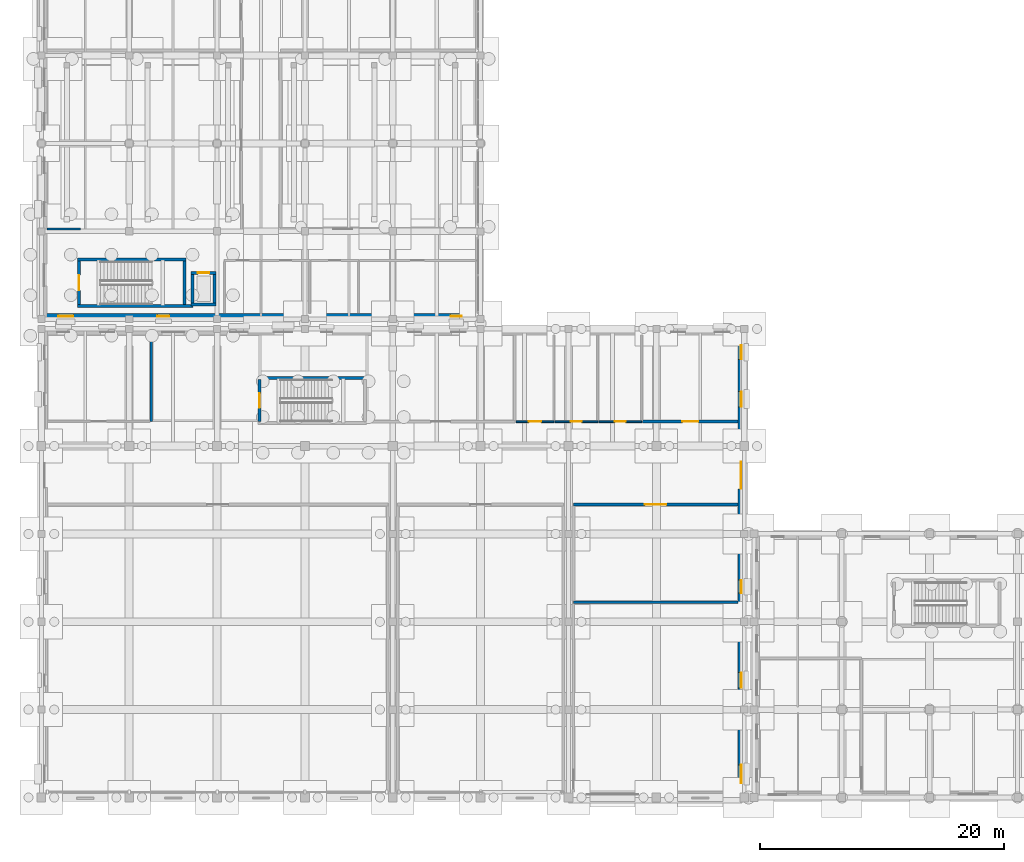
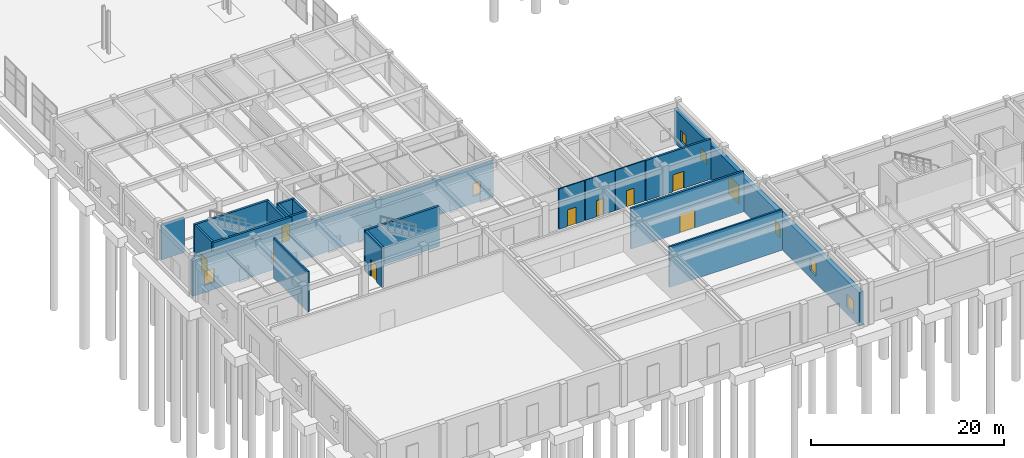
# One storey, part 66 of 91: 20 walls, 9 doors, 8 windows, 17 openings.
"""IFC4 building model written with IfcOpenShell, lengths in metres."""

import ifcopenshell
import ifcopenshell.guid

model = None  # the IFC model being written
_history = None  # IfcOwnerHistory: only IFC2X3 demands one
_inside = {}  # id of a spatial element -> (the spatial element, [elements in it])
_under = {}  # id of a project, library or spatial element -> (it, [spatial elements below it])
_declared = {}  # id of a project -> (the project, [libraries it declares])
_typed = {}  # id of a type object -> (the type object, [elements of that type])
_made_of = {}  # id of a material, layer set ... -> (it, [elements and type objects made of it])


def new_model(schema):
    """Start an empty IFC model of exactly this schema.

    Asked for "IFC4X3", IfcOpenShell would pick the latest addendum, in which some entities
    have other attributes; the version numbers below select the first issue.
    IFC2X3 requires an IfcOwnerHistory on every rooted entity: one is made here for all.
    """
    global model, _history
    if schema == "IFC4X3":
        model = ifcopenshell.file(schema_version=(4, 3, 0, 0))
    else:
        model = ifcopenshell.file(schema=schema)
    _inside.clear()
    _under.clear()
    _declared.clear()
    _typed.clear()
    _made_of.clear()
    _history = None
    if model.schema == "IFC2X3":
        org = make("IfcOrganization", Name="unknown")
        user = make(
            "IfcPersonAndOrganization",
            ThePerson=make("IfcPerson", FamilyName="unknown"),
            TheOrganization=org,
        )
        app = make(
            "IfcApplication",
            ApplicationDeveloper=org,
            Version="unknown",
            ApplicationFullName="unknown",
            ApplicationIdentifier="unknown",
        )
        _history = make(
            "IfcOwnerHistory",
            OwningUser=user,
            OwningApplication=app,
            ChangeAction="ADDED",
            CreationDate=0,
        )
    return model


def make(cls, **values):
    """One entity of the class cls with the attributes given. An attribute that is None is left unset."""
    return model.create_entity(
        cls, **{name: value for name, value in values.items() if value is not None}
    )


def rooted(cls, **values):
    """An entity with a GlobalId (a new one), such as an element, a storey or a relation."""
    return make(cls, GlobalId=ifcopenshell.guid.new(), OwnerHistory=_history, **values)


def si_unit(unit_type, name, prefix=None):
    """IfcSIUnit, for example si_unit("LENGTHUNIT", "METRE", prefix="MILLI")."""
    return make("IfcSIUnit", UnitType=unit_type, Prefix=prefix, Name=name)


def assignment(units):
    """IfcUnitAssignment: the units of a project."""
    return None if units is None else make("IfcUnitAssignment", Units=units)


def point(xyz):
    """IfcCartesianPoint."""
    return None if xyz is None else make("IfcCartesianPoint", Coordinates=xyz)


def direction(xyz):
    """IfcDirection."""
    return None if xyz is None else make("IfcDirection", DirectionRatios=xyz)


def frame(location, z_axis=None, x_axis=None):
    """IfcAxis2Placement3D, a coordinate frame: its origin and axes. An axis left out is left unset."""
    return make(
        "IfcAxis2Placement3D",
        Location=point(location),
        Axis=direction(z_axis),
        RefDirection=direction(x_axis),
    )


def frame_2d(location, x_axis=None):
    """IfcAxis2Placement2D, a coordinate frame in the plane: its origin and x axis."""
    return make(
        "IfcAxis2Placement2D", Location=point(location), RefDirection=direction(x_axis)
    )


def origin():
    """The frame at (0, 0, 0) with its axes left unset."""
    return frame((0.0, 0.0, 0.0))


def place(relative_to, where):
    """IfcLocalPlacement: puts the frame where relative to a parent placement (None: the world)."""
    return make(
        "IfcLocalPlacement", PlacementRelTo=relative_to, RelativePlacement=where
    )


def context(
    kind, dimensions, precision=None, world=None, true_north=None, identifier=None
):
    """IfcGeometricRepresentationContext, for example the 3D "Model" context."""
    return make(
        "IfcGeometricRepresentationContext",
        ContextIdentifier=identifier,
        ContextType=kind,
        CoordinateSpaceDimension=dimensions,
        Precision=precision,
        WorldCoordinateSystem=world,
        TrueNorth=true_north,
    )


def subcontext(parent, identifier, kind, view, scale=None):
    """IfcGeometricRepresentationSubContext, for example "Body" below "Model"."""
    return make(
        "IfcGeometricRepresentationSubContext",
        ContextIdentifier=identifier,
        ContextType=kind,
        ParentContext=parent,
        TargetScale=scale,
        TargetView=view,
    )


def project(units=None, contexts=None):
    """IfcProject with its units and contexts."""
    return rooted(
        "IfcProject",
        Name="project",
        RepresentationContexts=contexts,
        UnitsInContext=assignment(units),
    )


def spatial(cls, under=None, at=None, **own):
    """A site, building, storey or space (cls), placed at a placement, below another one or the project."""
    s = rooted(cls, ObjectPlacement=at, **own)
    if under is not None:
        _under.setdefault(under.id(), (under, []))[1].append(s)
    return s


def profile(cls, at=None, kind="AREA", **sizes):
    """A parametric profile (cls). Its sizes go by their IFC names, for example OverallWidth=200.0."""
    return make(cls, ProfileType=kind, Position=at, **sizes)


def rectangle(**sizes):
    """IfcRectangleProfileDef."""
    return profile("IfcRectangleProfileDef", **sizes)


def extrude(swept, where, along, depth):
    """IfcExtrudedAreaSolid: the profile swept, set in the frame where, extruded along a direction by depth."""
    return make(
        "IfcExtrudedAreaSolid",
        SweptArea=swept,
        Position=where,
        ExtrudedDirection=direction(along),
        Depth=depth,
    )


def shape(context_of_items, identifier, shape_type, items):
    """IfcShapeRepresentation: the items that make up one representation, for example the "Body"."""
    return make(
        "IfcShapeRepresentation",
        ContextOfItems=context_of_items,
        RepresentationIdentifier=identifier,
        RepresentationType=shape_type,
        Items=items,
    )


def material(Name=None, Category=None):
    """IfcMaterial."""
    return make("IfcMaterial", Name=Name, Category=Category)


def layer(
    of_material, thickness, ventilated=None, Name=None, Category=None, Priority=None
):
    """IfcMaterialLayer: one layer of a wall or slab, of a material (None: an air gap)."""
    return make(
        "IfcMaterialLayer",
        Material=of_material,
        LayerThickness=thickness,
        IsVentilated=ventilated,
        Name=Name,
        Category=Category,
        Priority=Priority,
    )


def layer_set(layers, Name=None):
    """IfcMaterialLayerSet."""
    return make("IfcMaterialLayerSet", MaterialLayers=layers, LayerSetName=Name)


def made_of(thing, what):
    """Note that an element or type object is made of a material, layer set ...; save() writes the relation."""
    if what is not None:
        _made_of.setdefault(what.id(), (what, []))[1].append(thing)
    return thing


def type_object(cls, material=None, **own):
    """A type object (cls), such as IfcWallType, which elements share."""
    return made_of(rooted(cls, **own), material)


def element(
    cls,
    number,
    at=None,
    inside=None,
    cuts=None,
    type_object=None,
    material=None,
    context=None,
    identifier="Body",
    shape_type=None,
    held_by="IfcProductDefinitionShape",
    body=None,
    shapes=None,
    **own,
):
    """One element of the class cls, such as IfcWall. Its Tag is "e" and its number.

    at: its placement. inside: the storey or other place that contains it. cuts: it is an
    opening in that element (IfcRelVoidsElement). A single representation is given by context,
    identifier, shape_type and body (its items); several are given by shapes. held_by: the class
    of the entity that holds the representations. save() writes the other relations.
    """
    e = rooted(cls, Tag="e%d" % number, ObjectPlacement=at, **own)
    if body is not None:
        shapes = [shape(context, identifier, shape_type, body)]
    if shapes is not None:
        e.Representation = make(held_by, Representations=shapes)
    if inside is not None:
        _inside.setdefault(inside.id(), (inside, []))[1].append(e)
    if cuts is not None:
        rooted(
            "IfcRelVoidsElement", RelatingBuildingElement=cuts, RelatedOpeningElement=e
        )
    if type_object is not None:
        _typed.setdefault(type_object.id(), (type_object, []))[1].append(e)
    return made_of(e, material)


def fill(opening, filler):
    """IfcRelFillsElement: the door or window that sits in an opening."""
    return rooted(
        "IfcRelFillsElement",
        RelatingOpeningElement=opening,
        RelatedBuildingElement=filler,
    )


def aggregate(whole, parts):
    """IfcRelAggregates: a whole, such as a stair, and the parts it consists of."""
    return rooted("IfcRelAggregates", RelatingObject=whole, RelatedObjects=parts)


def save(model, path):
    """Write the relations noted so far, then the file.

    IfcRelAggregates (storeys below a building ...), IfcRelContainedInSpatialStructure (elements
    in a storey), IfcRelDefinesByType, IfcRelAssociatesMaterial and IfcRelDeclares: one each for
    every whole, place, type object, material and project.
    """
    for whole, parts in _under.values():
        aggregate(whole, parts)
    for where, things in _inside.values():
        rooted(
            "IfcRelContainedInSpatialStructure",
            RelatedElements=things,
            RelatingStructure=where,
        )
    for kind, things in _typed.values():
        rooted("IfcRelDefinesByType", RelatedObjects=things, RelatingType=kind)
    for what, things in _made_of.values():
        rooted("IfcRelAssociatesMaterial", RelatedObjects=things, RelatingMaterial=what)
    for by, libraries in _declared.values():
        rooted("IfcRelDeclares", RelatingContext=by, RelatedDefinitions=libraries)
    model.write(path)


model = new_model("IFC4")

# Units and contexts
model_context = context("Model", 3, precision=1e-05, world=origin(), true_north=direction((0.0, 1.0)))
body_context = subcontext(model_context, "Body", "Model", "MODEL_VIEW")
ifc_project = project(units=[si_unit("LENGTHUNIT", "METRE"), si_unit("AREAUNIT", "SQUARE_METRE"), si_unit("VOLUMEUNIT", "CUBIC_METRE"), si_unit("PLANEANGLEUNIT", "RADIAN"), si_unit("MASSUNIT", "GRAM", prefix="KILO")], contexts=[model_context])

# Site, building, storey
site_placement = place(None, origin())
site = spatial("IfcSite", under=ifc_project, at=site_placement, CompositionType="ELEMENT")
building_placement = place(site_placement, origin())
building = spatial("IfcBuilding", under=site, at=building_placement, Name="Bramveld Media Centre", CompositionType="ELEMENT")
storey_placement = place(building_placement, origin())
storey = spatial("IfcBuildingStorey", under=building, at=storey_placement, Name="L00", CompositionType="ELEMENT", Elevation=0.0)

# Walls
ifc_material_1 = material(Name="Concrete C40/50 stair & lift core wall", Category="concrete")
ifc_layer_1 = layer(ifc_material_1, 0.25)
ifc_layer_set_1 = layer_set([ifc_layer_1], Name="Concrete C40/50 stair & lift core wall")
wall_type_1 = type_object("IfcWallType", Name="CWALL-SHEAR-250", PredefinedType="SHEAR", material=ifc_layer_set_1)
wall_1_placement = place(storey_placement, frame((2.949951171875, 40.27490234375, 0.0), z_axis=(0.0, 0.0, 1.0), x_axis=(1.0, 0.0, 0.0)))
element("IfcWall", 1, at=wall_1_placement, inside=storey, type_object=wall_type_1, Name="ST-04 L00 stair core shear wall S", PredefinedType="SHEAR", context=body_context, shape_type="SweptSolid", body=[
    extrude(rectangle(XDim=9.469970703125, YDim=0.25, at=frame_2d((4.73486328125, 0.0))), origin(), (0.0, 0.0, 1.0), 5.139892578125),
])
wall_2_placement = place(storey_placement, frame((11.85009765625, 44.074951171875, 0.0), z_axis=(0.0, 0.0, 1.0), x_axis=(-1.0, 0.0, 0.0)))
element("IfcWall", 2, at=wall_2_placement, inside=storey, type_object=wall_type_1, Name="ST-04 L00 stair core shear wall N", PredefinedType="SHEAR", context=body_context, shape_type="SweptSolid", body=[
    extrude(rectangle(XDim=8.900146484375, YDim=0.25, at=frame_2d((4.4501953125, 0.0))), origin(), (0.0, 0.0, 1.0), 5.139892578125),
])

# Wall, opening, door
wall_3_placement = place(storey_placement, frame((3.074951171875, 43.949951171875, 0.0), z_axis=(0.0, 0.0, 1.0), x_axis=(0.0, -1.0, 0.0)))
wall_3 = element("IfcWall", 3, at=wall_3_placement, inside=storey, type_object=wall_type_1, Name="ST-04 L00 stair core shear wall W", PredefinedType="SHEAR", context=body_context, shape_type="SweptSolid", body=[
    extrude(rectangle(XDim=3.550048828125, YDim=0.25, at=frame_2d((1.77490234375, 0.0))), origin(), (0.0, 0.0, 1.0), 5.139892578125),
])
opening_1_placement = place(wall_3_placement, frame((1.14990234375, 0.0, 0.0)))
opening_1 = element("IfcOpeningElement", 4, at=opening_1_placement, cuts=wall_3, Name="Opening SD-04-L00", PredefinedType="OPENING", context=body_context, shape_type="SweptSolid", body=[
    extrude(rectangle(XDim=1.25, YDim=2.14990234375, at=frame_2d((0.625, 1.074951171875))), frame((0.0, 0.136962890625, 0.0), z_axis=(0.0, -1.0, 0.0), x_axis=(1.0, 0.0, 0.0)), (0.0, 0.0, 1.0), 0.27392578125),
])
ifc_material_2 = material(Name="Painted galvanized steel acoustic fire door with intumescent smoke seals", Category="steel")
door_type_1 = type_object("IfcDoorType", Name="DR-ST-1250", OperationType="NOTDEFINED", PredefinedType="DOOR", material=ifc_material_2)
door_1_placement = place(opening_1_placement, origin())
door_1 = element("IfcDoor", 5, at=door_1_placement, inside=storey, type_object=door_type_1, Name="ST-04 L00 pressurized stair fire door", OperationType="SINGLE_SWING_RIGHT", OverallHeight=2.14990234375, OverallWidth=1.25, PredefinedType="DOOR", context=body_context, shape_type="SweptSolid", body=[
    extrude(rectangle(XDim=1.25, YDim=2.14990234375, at=frame_2d((0.625, 1.074951171875))), frame((0.0, 0.02490234375, 0.0), z_axis=(0.0, -1.0, 0.0), x_axis=(1.0, 0.0, 0.0)), (0.0, 0.0, 1.0), 0.050048828125),
])
fill(opening_1, door_1)

# Walls
wall_4_placement = place(storey_placement, frame((11.72509765625, 40.39990234375, 0.0), z_axis=(0.0, 0.0, 1.0), x_axis=(0.0, 1.0, 0.0)))
element("IfcWall", 6, at=wall_4_placement, inside=storey, type_object=wall_type_1, Name="ST-04 L00 stair core shear wall E", PredefinedType="SHEAR", context=body_context, shape_type="SweptSolid", body=[
    extrude(rectangle(XDim=3.550048828125, YDim=0.25, at=frame_2d((1.77490234375, 0.0))), origin(), (0.0, 0.0, 1.0), 5.139892578125),
])
wall_5_placement = place(storey_placement, frame((26.64990234375, 34.375, 0.0), z_axis=(0.0, 0.0, 1.0), x_axis=(-1.0, 0.0, 0.0)))
element("IfcWall", 7, at=wall_5_placement, inside=storey, type_object=wall_type_1, Name="ST-05 L00 stair core shear wall N", PredefinedType="SHEAR", context=body_context, shape_type="SweptSolid", body=[
    extrude(rectangle(XDim=8.89990234375, YDim=0.25, at=frame_2d((4.449951171875, 0.0))), origin(), (0.0, 0.0, 1.0), 5.10009765625),
])

# Wall, opening, door
wall_6_placement = place(storey_placement, frame((17.875, 34.25, 0.0), z_axis=(0.0, 0.0, 1.0), x_axis=(0.0, -1.0, 0.0)))
wall_6 = element("IfcWall", 8, at=wall_6_placement, inside=storey, type_object=wall_type_1, Name="ST-05 L00 stair core shear wall W", PredefinedType="SHEAR", context=body_context, shape_type="SweptSolid", body=[
    extrude(rectangle(XDim=3.449951171875, YDim=0.25, at=frame_2d((1.72509765625, 0.0))), origin(), (0.0, 0.0, 1.0), 5.10009765625),
])
opening_2_placement = place(wall_6_placement, frame((1.125, 0.0, 0.0)))
opening_2 = element("IfcOpeningElement", 9, at=opening_2_placement, cuts=wall_6, Name="Opening SD-05-L00", PredefinedType="OPENING", context=body_context, shape_type="SweptSolid", body=[
    extrude(rectangle(XDim=1.199951171875, YDim=2.14990234375, at=frame_2d((0.60009765625, 1.074951171875))), frame((0.0, 0.136962890625, 0.0), z_axis=(0.0, -1.0, 0.0), x_axis=(1.0, 0.0, 0.0)), (0.0, 0.0, 1.0), 0.27392578125),
])
ifc_material_3 = material(Name="Painted galvanized steel acoustic fire door with intumescent smoke seals", Category="steel")
door_type_2 = type_object("IfcDoorType", Name="DR-ST-1200", OperationType="NOTDEFINED", PredefinedType="DOOR", material=ifc_material_3)
door_2_placement = place(opening_2_placement, origin())
door_2 = element("IfcDoor", 10, at=door_2_placement, inside=storey, type_object=door_type_2, Name="ST-05 L00 pressurized stair fire door", OperationType="SINGLE_SWING_LEFT", OverallHeight=2.14990234375, OverallWidth=1.199951171875, PredefinedType="DOOR", context=body_context, shape_type="SweptSolid", body=[
    extrude(rectangle(XDim=1.199951171875, YDim=2.14990234375, at=frame_2d((0.60009765625, 1.074951171875))), frame((0.0, 0.02490234375, 0.0), z_axis=(0.0, -1.0, 0.0), x_axis=(1.0, 0.0, 0.0)), (0.0, 0.0, 1.0), 0.050048828125),
])
fill(opening_2, door_2)

# Wall
wall_7_placement = place(storey_placement, frame((12.27490234375, 40.39990234375, 0.0), z_axis=(0.0, 0.0, 1.0), x_axis=(1.0, 0.0, 0.0)))
element("IfcWall", 11, at=wall_7_placement, inside=storey, type_object=wall_type_1, Name="PL-05 L00 lift shaft wall S", PredefinedType="SHEAR", context=body_context, shape_type="SweptSolid", body=[
    extrude(rectangle(XDim=2.050048828125, YDim=0.25, at=frame_2d((1.02490234375, 0.0))), origin(), (0.0, 0.0, 1.0), 5.139892578125),
])

# Wall, opening, door
wall_8_placement = place(storey_placement, frame((14.324951171875, 43.0, 0.0), z_axis=(0.0, 0.0, 1.0), x_axis=(-1.0, 0.0, 0.0)))
wall_8 = element("IfcWall", 12, at=wall_8_placement, inside=storey, type_object=wall_type_1, Name="PL-05 L00 lift shaft wall N", PredefinedType="SHEAR", context=body_context, shape_type="SweptSolid", body=[
    extrude(rectangle(XDim=2.050048828125, YDim=0.25, at=frame_2d((1.02490234375, 0.0))), origin(), (0.0, 0.0, 1.0), 5.139892578125),
])
opening_3_placement = place(wall_8_placement, frame((0.550048828125, 0.0, 0.0)))
opening_3 = element("IfcOpeningElement", 13, at=opening_3_placement, cuts=wall_8, Name="Opening LD-03-05-L00", PredefinedType="OPENING", context=body_context, shape_type="SweptSolid", body=[
    extrude(rectangle(XDim=0.949951171875, YDim=2.10009765625, at=frame_2d((0.47509765625, 1.050048828125))), frame((0.0, 0.136962890625, 0.0), z_axis=(0.0, -1.0, 0.0), x_axis=(1.0, 0.0, 0.0)), (0.0, 0.0, 1.0), 0.27392578125),
])
ifc_material_4 = material(Name="Brushed stainless steel automatic fire-rated sliding lift landing door", Category="steel")
door_type_3 = type_object("IfcDoorType", Name="LD-TYPE-03", OperationType="SLIDING_TO_LEFT", PredefinedType="DOOR", material=ifc_material_4)
door_3_placement = place(opening_3_placement, origin())
door_3 = element("IfcDoor", 14, at=door_3_placement, inside=storey, type_object=door_type_3, Name="PL-05 L00 sliding lift landing door", OperationType="SLIDING_TO_LEFT", OverallHeight=2.10009765625, OverallWidth=0.949951171875, PredefinedType="DOOR", context=body_context, shape_type="SweptSolid", body=[
    extrude(rectangle(XDim=0.949951171875, YDim=2.10009765625, at=frame_2d((0.47509765625, 1.050048828125))), frame((0.0, 0.02490234375, 0.0), z_axis=(0.0, -1.0, 0.0), x_axis=(1.0, 0.0, 0.0)), (0.0, 0.0, 1.0), 0.050048828125),
])
fill(opening_3, door_3)

# Walls
for number, where, z_axis, x_axis, name in (
    (15, (12.39990234375, 43.0, 0.0), (0.0, 0.0, 1.0), (0.0, -1.0, 0.0), "PL-05 L00 lift shaft wall W"),
    (16, (14.199951171875, 40.39990234375, 0.0), (0.0, 0.0, 1.0), (0.0, 1.0, 0.0), "PL-05 L00 lift shaft wall E"),
):
    element("IfcWall", number, at=place(storey_placement, frame(where, z_axis=z_axis, x_axis=x_axis)), inside=storey, type_object=wall_type_1, Name=name, PredefinedType="SHEAR", context=body_context, shape_type="SweptSolid", body=[
        extrude(rectangle(XDim=2.60009765625, YDim=0.25, at=frame_2d((1.300048828125, 0.0))), origin(), (0.0, 0.0, 1.0), 5.139892578125),
    ])

# Wall, openings, door, windows
ifc_material_5 = material(Name="Double-leaf Concrete C40/50 cinema acoustic shell wall with brick outer leaf", Category="masonry")
ifc_layer_2 = layer(ifc_material_5, 0.5)
ifc_layer_set_2 = layer_set([ifc_layer_2], Name="Double-leaf Concrete C40/50 cinema acoustic shell wall with brick outer leaf")
wall_type_2 = type_object("IfcWallType", Name="EW-ACOU-500", PredefinedType="SOLIDWALL", material=ifc_layer_set_2)
wall_9_placement = place(storey_placement, frame((57.35009765625, 38.39990234375, 0.0), z_axis=(0.0, 0.0, 1.0), x_axis=(0.0, -1.0, 0.0)))
wall_9 = element("IfcWall", 17, at=wall_9_placement, inside=storey, type_object=wall_type_2, Name="V2 L00 E facing brick exterior wall", PredefinedType="SOLIDWALL", context=body_context, shape_type="SweptSolid", body=[
    extrude(rectangle(XDim=38.39990234375, YDim=0.5, at=frame_2d((19.199951171875, 0.0))), origin(), (0.0, 0.0, 1.0), 4.2548828125),
])
opening_4_placement = place(wall_9_placement, frame((10.89990234375, 0.0, 0.0)))
opening_4 = element("IfcOpeningElement", 18, at=opening_4_placement, cuts=wall_9, Name="Opening ED-07", PredefinedType="OPENING", context=body_context, shape_type="SweptSolid", body=[
    extrude(rectangle(XDim=2.199951171875, YDim=2.39990234375, at=frame_2d((1.10009765625, 1.199951171875))), frame((0.0, 0.261962890625, 0.0), z_axis=(0.0, -1.0, 0.0), x_axis=(1.0, 0.0, 0.0)), (0.0, 0.0, 1.0), 0.52392578125),
])
opening_5_placement = place(wall_9_placement, frame((1.344970703125, 0.0, 0.89990234375)))
opening_5 = element("IfcOpeningElement", 19, at=opening_5_placement, cuts=wall_9, Name="Opening W-09", PredefinedType="OPENING", context=body_context, shape_type="SweptSolid", body=[
    extrude(rectangle(XDim=1.14990234375, YDim=1.449951171875, at=frame_2d((0.574951171875, 0.72509765625))), frame((0.0, 0.261962890625, 0.0), z_axis=(0.0, -1.0, 0.0), x_axis=(1.0, 0.0, 0.0)), (0.0, 0.0, 1.0), 0.52392578125),
])
opening_6_placement = place(wall_9_placement, frame((5.135009765625, 0.0, 0.89990234375)))
opening_6 = element("IfcOpeningElement", 20, at=opening_6_placement, cuts=wall_9, Name="Opening W-10", PredefinedType="OPENING", context=body_context, shape_type="SweptSolid", body=[
    extrude(rectangle(XDim=1.25, YDim=1.449951171875, at=frame_2d((0.625, 0.72509765625))), frame((0.0, 0.261962890625, 0.0), z_axis=(0.0, -1.0, 0.0), x_axis=(1.0, 0.0, 0.0)), (0.0, 0.0, 1.0), 0.52392578125),
])
opening_7_placement = place(wall_9_placement, frame((20.594970703125, 0.0, 0.89990234375)))
opening_7 = element("IfcOpeningElement", 21, at=opening_7_placement, cuts=wall_9, Name="Opening W-14", PredefinedType="OPENING", context=body_context, shape_type="SweptSolid", body=[
    extrude(rectangle(XDim=1.050048828125, YDim=1.60009765625, at=frame_2d((0.52490234375, 0.800048828125))), frame((0.0, 0.261962890625, 0.0), z_axis=(0.0, -1.0, 0.0), x_axis=(1.0, 0.0, 0.0)), (0.0, 0.0, 1.0), 0.52392578125),
])
opening_8_placement = place(wall_9_placement, frame((28.175048828125, 0.0, 0.89990234375)))
opening_8 = element("IfcOpeningElement", 22, at=opening_8_placement, cuts=wall_9, Name="Opening W-16", PredefinedType="OPENING", context=body_context, shape_type="SweptSolid", body=[
    extrude(rectangle(XDim=1.25, YDim=1.60009765625, at=frame_2d((0.625, 0.800048828125))), frame((0.0, 0.261962890625, 0.0), z_axis=(0.0, -1.0, 0.0), x_axis=(1.0, 0.0, 0.0)), (0.0, 0.0, 1.0), 0.52392578125),
])
opening_9_placement = place(wall_9_placement, frame((35.72998046875, 0.0, 0.89990234375)))
opening_9 = element("IfcOpeningElement", 23, at=opening_9_placement, cuts=wall_9, Name="Opening W-18", PredefinedType="OPENING", context=body_context, shape_type="SweptSolid", body=[
    extrude(rectangle(XDim=1.5, YDim=1.60009765625, at=frame_2d((0.75, 0.800048828125))), frame((0.0, 0.261962890625, 0.0), z_axis=(0.0, -1.0, 0.0), x_axis=(1.0, 0.0, 0.0)), (0.0, 0.0, 1.0), 0.52392578125),
])
ifc_material_6 = material(Name="Insulated powder-coated bronze aluminium & laminated safety glass door", Category="aluminium")
door_type_4 = type_object("IfcDoorType", Name="DR-EXT-2200", OperationType="NOTDEFINED", PredefinedType="DOOR", material=ifc_material_6)
door_4_placement = place(opening_4_placement, origin())
door_4 = element("IfcDoor", 24, at=door_4_placement, inside=storey, type_object=door_type_4, Name="Exterior door ED-07", OperationType="DOUBLE_DOOR_SINGLE_SWING", OverallHeight=2.39990234375, OverallWidth=2.199951171875, PredefinedType="DOOR", context=body_context, shape_type="SweptSolid", body=[
    extrude(rectangle(XDim=2.199951171875, YDim=2.39990234375, at=frame_2d((1.10009765625, 1.199951171875))), frame((0.0, 0.02490234375, 0.0), z_axis=(0.0, -1.0, 0.0), x_axis=(1.0, 0.0, 0.0)), (0.0, 0.0, 1.0), 0.050048828125),
])
fill(opening_4, door_4)
ifc_material_7 = material(Name="Thermally broken anodized bronze aluminium frame with triple acoustic glazing", Category="aluminium")
window_type_1 = type_object("IfcWindowType", Name="WIN-FAC-09", PartitioningType="SINGLE_PANEL", PredefinedType="WINDOW", material=ifc_material_7)
window_1_placement = place(opening_5_placement, origin())
window_1 = element("IfcWindow", 25, at=window_1_placement, inside=storey, type_object=window_type_1, Name="V2 L00 E acoustic facade window", OverallHeight=1.449951171875, OverallWidth=1.14990234375, PartitioningType="SINGLE_PANEL", PredefinedType="WINDOW", context=body_context, shape_type="SweptSolid", body=[
    extrude(rectangle(XDim=1.14990234375, YDim=1.449951171875, at=frame_2d((0.574951171875, 0.72509765625))), frame((0.0, 0.030029296875, 0.0), z_axis=(0.0, -1.0, 0.0), x_axis=(1.0, 0.0, 0.0)), (0.0, 0.0, 1.0), 0.06005859375),
])
fill(opening_5, window_1)
ifc_material_8 = material(Name="Thermally broken anodized bronze aluminium frame with triple acoustic glazing", Category="aluminium")
window_type_2 = type_object("IfcWindowType", Name="WIN-FAC-10", PartitioningType="SINGLE_PANEL", PredefinedType="WINDOW", material=ifc_material_8)
window_2_placement = place(opening_6_placement, origin())
window_2 = element("IfcWindow", 26, at=window_2_placement, inside=storey, type_object=window_type_2, Name="V2 L00 E acoustic facade window", OverallHeight=1.449951171875, OverallWidth=1.25, PartitioningType="SINGLE_PANEL", PredefinedType="WINDOW", context=body_context, shape_type="SweptSolid", body=[
    extrude(rectangle(XDim=1.25, YDim=1.449951171875, at=frame_2d((0.625, 0.72509765625))), frame((0.0, 0.030029296875, 0.0), z_axis=(0.0, -1.0, 0.0), x_axis=(1.0, 0.0, 0.0)), (0.0, 0.0, 1.0), 0.06005859375),
])
fill(opening_6, window_2)
ifc_material_9 = material(Name="Thermally broken anodized bronze aluminium frame with triple acoustic glazing", Category="aluminium")
window_type_3 = type_object("IfcWindowType", Name="WIN-FAC-14", PartitioningType="SINGLE_PANEL", PredefinedType="WINDOW", material=ifc_material_9)
window_3_placement = place(opening_7_placement, origin())
window_3 = element("IfcWindow", 27, at=window_3_placement, inside=storey, type_object=window_type_3, Name="V2 L00 E acoustic facade window", OverallHeight=1.60009765625, OverallWidth=1.050048828125, PartitioningType="SINGLE_PANEL", PredefinedType="WINDOW", context=body_context, shape_type="SweptSolid", body=[
    extrude(rectangle(XDim=1.050048828125, YDim=1.60009765625, at=frame_2d((0.52490234375, 0.800048828125))), frame((0.0, 0.030029296875, 0.0), z_axis=(0.0, -1.0, 0.0), x_axis=(1.0, 0.0, 0.0)), (0.0, 0.0, 1.0), 0.06005859375),
])
fill(opening_7, window_3)
ifc_material_10 = material(Name="Thermally broken anodized bronze aluminium frame with triple acoustic glazing", Category="aluminium")
window_type_4 = type_object("IfcWindowType", Name="WIN-FAC-16", PartitioningType="SINGLE_PANEL", PredefinedType="WINDOW", material=ifc_material_10)
window_4_placement = place(opening_8_placement, origin())
window_4 = element("IfcWindow", 28, at=window_4_placement, inside=storey, type_object=window_type_4, Name="V2 L00 E acoustic facade window", OverallHeight=1.60009765625, OverallWidth=1.25, PartitioningType="SINGLE_PANEL", PredefinedType="WINDOW", context=body_context, shape_type="SweptSolid", body=[
    extrude(rectangle(XDim=1.25, YDim=1.60009765625, at=frame_2d((0.625, 0.800048828125))), frame((0.0, 0.030029296875, 0.0), z_axis=(0.0, -1.0, 0.0), x_axis=(1.0, 0.0, 0.0)), (0.0, 0.0, 1.0), 0.06005859375),
])
fill(opening_8, window_4)
ifc_material_11 = material(Name="Thermally broken anodized bronze aluminium frame with triple acoustic glazing", Category="aluminium")
window_type_5 = type_object("IfcWindowType", Name="WIN-FAC-18", PartitioningType="SINGLE_PANEL", PredefinedType="WINDOW", material=ifc_material_11)
window_5_placement = place(opening_9_placement, origin())
window_5 = element("IfcWindow", 29, at=window_5_placement, inside=storey, type_object=window_type_5, Name="V2 L00 E acoustic facade window", OverallHeight=1.60009765625, OverallWidth=1.5, PartitioningType="SINGLE_PANEL", PredefinedType="WINDOW", context=body_context, shape_type="SweptSolid", body=[
    extrude(rectangle(XDim=1.5, YDim=1.60009765625, at=frame_2d((0.75, 0.800048828125))), frame((0.0, 0.030029296875, 0.0), z_axis=(0.0, -1.0, 0.0), x_axis=(1.0, 0.0, 0.0)), (0.0, 0.0, 1.0), 0.06005859375),
])
fill(opening_9, window_5)

# Wall, openings, windows
ifc_material_12 = material(Name="Flemish red-brown clay facing brick cavity wall with concrete C35/45 inner leaf", Category="masonry")
ifc_layer_3 = layer(ifc_material_12, 0.4599609375)
ifc_layer_set_3 = layer_set([ifc_layer_3], Name="Flemish red-brown clay facing brick cavity wall with concrete C35/45 inner leaf")
wall_type_3 = type_object("IfcWallType", Name="EW-BRK-460", PredefinedType="SOLIDWALL", material=ifc_layer_set_3)
wall_10_placement = place(storey_placement, frame((36.0, 39.429931640625, 0.0), z_axis=(0.0, 0.0, 1.0), x_axis=(-1.0, 0.0, 0.0)))
wall_10 = element("IfcWall", 30, at=wall_10_placement, inside=storey, type_object=wall_type_3, Name="V3 L00 S facing brick exterior wall", PredefinedType="SOLIDWALL", context=body_context, shape_type="SweptSolid", body=[
    extrude(rectangle(XDim=36.0, YDim=0.4599609375, at=frame_2d((18.0, 0.0))), origin(), (0.0, 0.0, 1.0), 4.43505859375),
])
opening_10_placement = place(wall_10_placement, frame((1.550048828125, 0.0, 0.89990234375)))
opening_10 = element("IfcOpeningElement", 31, at=opening_10_placement, cuts=wall_10, Name="Opening W-13", PredefinedType="OPENING", context=body_context, shape_type="SweptSolid", body=[
    extrude(rectangle(XDim=0.89990234375, YDim=1.60009765625, at=frame_2d((0.449951171875, 0.800048828125))), frame((0.0, 0.241943359375, 0.0), z_axis=(0.0, -1.0, 0.0), x_axis=(1.0, 0.0, 0.0)), (0.0, 0.0, 1.0), 0.48388671875),
])
opening_11_placement = place(wall_10_placement, frame((25.5, 0.0, 0.89990234375)))
opening_11 = element("IfcOpeningElement", 32, at=opening_11_placement, cuts=wall_10, Name="Opening W-19", PredefinedType="OPENING", context=body_context, shape_type="SweptSolid", body=[
    extrude(rectangle(XDim=1.0, YDim=1.75, at=frame_2d((0.5, 0.875))), frame((0.0, 0.241943359375, 0.0), z_axis=(0.0, -1.0, 0.0), x_axis=(1.0, 0.0, 0.0)), (0.0, 0.0, 1.0), 0.48388671875),
])
opening_12_placement = place(wall_10_placement, frame((33.3798828125, 0.0, 0.89990234375)))
opening_12 = element("IfcOpeningElement", 33, at=opening_12_placement, cuts=wall_10, Name="Opening W-21", PredefinedType="OPENING", context=body_context, shape_type="SweptSolid", body=[
    extrude(rectangle(XDim=1.239990234375, YDim=1.75, at=frame_2d((0.6201171875, 0.875))), frame((0.0, 0.241943359375, 0.0), z_axis=(0.0, -1.0, 0.0), x_axis=(1.0, 0.0, 0.0)), (0.0, 0.0, 1.0), 0.48388671875),
])
ifc_material_13 = material(Name="Thermally broken anodized bronze aluminium frame with triple acoustic glazing", Category="aluminium")
window_type_6 = type_object("IfcWindowType", Name="WIN-FAC-13", PartitioningType="SINGLE_PANEL", PredefinedType="WINDOW", material=ifc_material_13)
window_6_placement = place(opening_10_placement, origin())
window_6 = element("IfcWindow", 34, at=window_6_placement, inside=storey, type_object=window_type_6, Name="V3 L00 S acoustic facade window", OverallHeight=1.60009765625, OverallWidth=0.89990234375, PartitioningType="SINGLE_PANEL", PredefinedType="WINDOW", context=body_context, shape_type="SweptSolid", body=[
    extrude(rectangle(XDim=0.89990234375, YDim=1.60009765625, at=frame_2d((0.449951171875, 0.800048828125))), frame((0.0, 0.030029296875, 0.0), z_axis=(0.0, -1.0, 0.0), x_axis=(1.0, 0.0, 0.0)), (0.0, 0.0, 1.0), 0.06005859375),
])
fill(opening_10, window_6)
ifc_material_14 = material(Name="Thermally broken anodized bronze aluminium frame with triple acoustic glazing", Category="aluminium")
window_type_7 = type_object("IfcWindowType", Name="WIN-FAC-19", PartitioningType="SINGLE_PANEL", PredefinedType="WINDOW", material=ifc_material_14)
window_7_placement = place(opening_11_placement, origin())
window_7 = element("IfcWindow", 35, at=window_7_placement, inside=storey, type_object=window_type_7, Name="V3 L00 S acoustic facade window", OverallHeight=1.75, OverallWidth=1.0, PartitioningType="SINGLE_PANEL", PredefinedType="WINDOW", context=body_context, shape_type="SweptSolid", body=[
    extrude(rectangle(XDim=1.0, YDim=1.75, at=frame_2d((0.5, 0.875))), frame((0.0, 0.030029296875, 0.0), z_axis=(0.0, -1.0, 0.0), x_axis=(1.0, 0.0, 0.0)), (0.0, 0.0, 1.0), 0.06005859375),
])
fill(opening_11, window_7)
ifc_material_15 = material(Name="Thermally broken anodized bronze aluminium frame with triple acoustic glazing", Category="aluminium")
window_type_8 = type_object("IfcWindowType", Name="WIN-FAC-21", PartitioningType="SINGLE_PANEL", PredefinedType="WINDOW", material=ifc_material_15)
window_8_placement = place(opening_12_placement, origin())
window_8 = element("IfcWindow", 36, at=window_8_placement, inside=storey, type_object=window_type_8, Name="V3 L00 S acoustic facade window", OverallHeight=1.75, OverallWidth=1.239990234375, PartitioningType="SINGLE_PANEL", PredefinedType="WINDOW", context=body_context, shape_type="SweptSolid", body=[
    extrude(rectangle(XDim=1.239990234375, YDim=1.75, at=frame_2d((0.6201171875, 0.875))), frame((0.0, 0.030029296875, 0.0), z_axis=(0.0, -1.0, 0.0), x_axis=(1.0, 0.0, 0.0)), (0.0, 0.0, 1.0), 0.06005859375),
])
fill(opening_12, window_8)

# Wall
ifc_material_16 = material(Name="Acoustic calcium-silicate & mineral-wool compartment partition", Category="masonry")
ifc_layer_4 = layer(ifc_material_16, 0.199951171875)
ifc_layer_set_4 = layer_set([ifc_layer_4], Name="Acoustic calcium-silicate & mineral-wool compartment partition")
wall_type_4 = type_object("IfcWallType", Name="IW-ACOU-200", PredefinedType="PARTITIONING", material=ifc_layer_set_4)
wall_11_placement = place(storey_placement, frame((43.60009765625, 16.0, 0.0), z_axis=(0.0, 0.0, 1.0), x_axis=(1.0, 0.0, 0.0)))
element("IfcWall", 37, at=wall_11_placement, inside=storey, type_object=wall_type_4, Name="Scenic Dock & Acoustic Loading Bay partition wall", PredefinedType="PARTITIONING", context=body_context, shape_type="SweptSolid", body=[
    extrude(rectangle(XDim=13.489990234375, YDim=0.199951171875, at=frame_2d((6.7451171875, 0.0))), origin(), (0.0, 0.0, 1.0), 5.14990234375),
])

# Wall, opening, door
ifc_material_17 = material(Name="Double-stud acoustic gypsum & mineral-wool studio wall", Category="gypsum")
ifc_layer_5 = layer(ifc_material_17, 0.239990234375)
ifc_layer_set_5 = layer_set([ifc_layer_5], Name="Double-stud acoustic gypsum & mineral-wool studio wall")
wall_type_5 = type_object("IfcWallType", Name="IW-ACOU-240", PredefinedType="PARTITIONING", material=ifc_layer_set_5)
wall_12_placement = place(storey_placement, frame((43.60009765625, 24.0, 0.0), z_axis=(0.0, 0.0, 1.0), x_axis=(1.0, 0.0, 0.0)))
wall_12 = element("IfcWall", 38, at=wall_12_placement, inside=storey, type_object=wall_type_5, Name="Live Broadcast Studio 3 Foley & Orchestral Stage partition wall", PredefinedType="PARTITIONING", context=body_context, shape_type="SweptSolid", body=[
    extrude(rectangle(XDim=13.489990234375, YDim=0.239990234375, at=frame_2d((6.7451171875, 0.0))), origin(), (0.0, 0.0, 1.0), 5.14990234375),
])
opening_13_placement = place(wall_12_placement, frame((5.864990234375, 0.0, 0.0)))
opening_13 = element("IfcOpeningElement", 39, at=opening_13_placement, cuts=wall_12, Name="Opening D-00-010", PredefinedType="OPENING", context=body_context, shape_type="SweptSolid", body=[
    extrude(rectangle(XDim=1.760009765625, YDim=2.300048828125, at=frame_2d((0.8798828125, 1.14990234375))), frame((0.0, 0.1318359375, 0.0), z_axis=(0.0, -1.0, 0.0), x_axis=(1.0, 0.0, 0.0)), (0.0, 0.0, 1.0), 0.263916015625),
])
ifc_material_18 = material(Name="Fire-rated acoustic timber & steel composite door", Category="steel")
door_type_5 = type_object("IfcDoorType", Name="DR-HALL-1760", OperationType="NOTDEFINED", PredefinedType="DOOR", material=ifc_material_18)
door_5_placement = place(opening_13_placement, origin())
door_5 = element("IfcDoor", 40, at=door_5_placement, inside=storey, type_object=door_type_5, Name="Live Broadcast Studio 3 Foley & Orchestral Stage entrance door", OperationType="DOUBLE_DOOR_SINGLE_SWING", OverallHeight=2.300048828125, OverallWidth=1.760009765625, PredefinedType="DOOR", context=body_context, shape_type="SweptSolid", body=[
    extrude(rectangle(XDim=1.760009765625, YDim=2.300048828125, at=frame_2d((0.8798828125, 1.14990234375))), frame((0.0, 0.02490234375, 0.0), z_axis=(0.0, -1.0, 0.0), x_axis=(1.0, 0.0, 0.0)), (0.0, 0.0, 1.0), 0.050048828125),
])
fill(opening_13, door_5)

wall_13_placement = place(storey_placement, frame((49.280029296875, 30.800048828125, 0.0), z_axis=(0.0, 0.0, 1.0), x_axis=(1.0, 0.0, 0.0)))
wall_13 = element("IfcWall", 41, at=wall_13_placement, inside=storey, type_object=wall_type_5, Name="Transformer & Studio UPS Plant Room partition wall", PredefinedType="PARTITIONING", context=body_context, shape_type="SweptSolid", body=[
    extrude(rectangle(XDim=7.81005859375, YDim=0.239990234375, at=frame_2d((3.905029296875, 0.0))), origin(), (0.0, 0.0, 1.0), 5.10009765625),
])
opening_14_placement = place(wall_13_placement, frame((3.2451171875, 0.0, 0.0)))
opening_14 = element("IfcOpeningElement", 42, at=opening_14_placement, cuts=wall_13, Name="Opening D-00-016", PredefinedType="OPENING", context=body_context, shape_type="SweptSolid", body=[
    extrude(rectangle(XDim=1.320068359375, YDim=2.14990234375, at=frame_2d((0.66015625, 1.074951171875))), frame((0.0, 0.1318359375, 0.0), z_axis=(0.0, -1.0, 0.0), x_axis=(1.0, 0.0, 0.0)), (0.0, 0.0, 1.0), 0.263916015625),
])
ifc_material_19 = material(Name="Fire-rated acoustic timber & steel composite door", Category="steel")
door_type_6 = type_object("IfcDoorType", Name="DR-PLANT-1320", OperationType="NOTDEFINED", PredefinedType="DOOR", material=ifc_material_19)
door_6_placement = place(opening_14_placement, origin())
door_6 = element("IfcDoor", 43, at=door_6_placement, inside=storey, type_object=door_type_6, Name="Transformer & Studio UPS Plant Room entrance door", OperationType="SINGLE_SWING_LEFT", OverallHeight=2.14990234375, OverallWidth=1.320068359375, PredefinedType="DOOR", context=body_context, shape_type="SweptSolid", body=[
    extrude(rectangle(XDim=1.320068359375, YDim=2.14990234375, at=frame_2d((0.66015625, 1.074951171875))), frame((0.0, 0.02490234375, 0.0), z_axis=(0.0, -1.0, 0.0), x_axis=(1.0, 0.0, 0.0)), (0.0, 0.0, 1.0), 0.050048828125),
])
fill(opening_14, door_6)

# Walls
ifc_material_20 = material(Name="Fire-rated twin-frame gypsum corridor wall", Category="gypsum")
ifc_layer_6 = layer(ifc_material_20, 0.179931640625)
ifc_layer_set_6 = layer_set([ifc_layer_6], Name="Fire-rated twin-frame gypsum corridor wall")
wall_type_6 = type_object("IfcWallType", Name="IW-FIRE-180", PredefinedType="PARTITIONING", material=ifc_layer_set_6)
wall_14_placement = place(storey_placement, frame((9.0, 30.800048828125, 0.0), z_axis=(0.0, 0.0, 1.0), x_axis=(0.0, 1.0, 0.0)))
element("IfcWall", 44, at=wall_14_placement, inside=storey, type_object=wall_type_6, Name="Stair ST-05 L00 Landing Lobby partition wall", PredefinedType="PARTITIONING", context=body_context, shape_type="SweptSolid", body=[
    extrude(rectangle(XDim=7.08984375, YDim=0.179931640625, at=frame_2d((3.544921875, 0.0))), origin(), (0.0, 0.0, 1.0), 5.10009765625),
])
wall_15_placement = place(storey_placement, frame((0.469970703125, 46.60009765625, 0.0), z_axis=(0.0, 0.0, 1.0), x_axis=(1.0, 0.0, 0.0)))
element("IfcWall", 45, at=wall_15_placement, inside=storey, type_object=wall_type_6, Name="Stair ST-04 L00 Landing Lobby partition wall", PredefinedType="PARTITIONING", context=body_context, shape_type="SweptSolid", body=[
    extrude(rectangle(XDim=2.72998046875, YDim=0.179931640625, at=frame_2d((1.364990234375, 0.0))), origin(), (0.0, 0.0, 1.0), 4.465087890625),
])

# Wall, opening, door
ifc_material_21 = material(Name="Moisture-resistant cement-board sanitary partition", Category="gypsum")
ifc_layer_7 = layer(ifc_material_21, 0.139892578125)
ifc_layer_set_7 = layer_set([ifc_layer_7], Name="Moisture-resistant cement-board sanitary partition")
wall_type_7 = type_object("IfcWallType", Name="IW-WET-140", PredefinedType="PARTITIONING", material=ifc_layer_set_7)
wall_16_placement = place(storey_placement, frame((38.909912109375, 30.800048828125, 0.0), z_axis=(0.0, 0.0, 1.0), x_axis=(1.0, 0.0, 0.0)))
wall_16 = element("IfcWall", 46, at=wall_16_placement, inside=storey, type_object=wall_type_7, Name="Accessible WC partition wall", PredefinedType="PARTITIONING", context=body_context, shape_type="SweptSolid", body=[
    extrude(rectangle(XDim=3.090087890625, YDim=0.139892578125, at=frame_2d((1.544921875, 0.0))), origin(), (0.0, 0.0, 1.0), 5.10009765625),
])
opening_15_placement = place(wall_16_placement, frame((1.014892578125, 0.0, 0.0)))
opening_15 = element("IfcOpeningElement", 47, at=opening_15_placement, cuts=wall_16, Name="Opening D-00-013", PredefinedType="OPENING", context=body_context, shape_type="SweptSolid", body=[
    extrude(rectangle(XDim=1.06005859375, YDim=2.10009765625, at=frame_2d((0.530029296875, 1.050048828125))), frame((0.0, 0.08203125, 0.0), z_axis=(0.0, -1.0, 0.0), x_axis=(1.0, 0.0, 0.0)), (0.0, 0.0, 1.0), 0.163818359375),
])
ifc_material_22 = material(Name="Solid-core European oak acoustic timber leaf in steel frame", Category="steel")
door_type_7 = type_object("IfcDoorType", Name="DR-WC-PMR-1060", OperationType="NOTDEFINED", PredefinedType="DOOR", material=ifc_material_22)
door_7_placement = place(opening_15_placement, origin())
door_7 = element("IfcDoor", 48, at=door_7_placement, inside=storey, type_object=door_type_7, Name="Accessible WC entrance door", OperationType="SINGLE_SWING_RIGHT", OverallHeight=2.10009765625, OverallWidth=1.06005859375, PredefinedType="DOOR", context=body_context, shape_type="SweptSolid", body=[
    extrude(rectangle(XDim=1.06005859375, YDim=2.10009765625, at=frame_2d((0.530029296875, 1.050048828125))), frame((0.0, 0.02490234375, 0.0), z_axis=(0.0, -1.0, 0.0), x_axis=(1.0, 0.0, 0.0)), (0.0, 0.0, 1.0), 0.050048828125),
])
fill(opening_15, door_7)

wall_17_placement = place(storey_placement, frame((42.080078125, 30.800048828125, 0.0), z_axis=(0.0, 0.0, 1.0), x_axis=(1.0, 0.0, 0.0)))
wall_17 = element("IfcWall", 49, at=wall_17_placement, inside=storey, type_object=wall_type_7, Name="Male WC partition wall", PredefinedType="PARTITIONING", context=body_context, shape_type="SweptSolid", body=[
    extrude(rectangle(XDim=3.52001953125, YDim=0.139892578125, at=frame_2d((1.760009765625, 0.0))), origin(), (0.0, 0.0, 1.0), 5.10009765625),
])
opening_16_placement = place(wall_17_placement, frame((1.31494140625, 0.0, 0.0)))
opening_16 = element("IfcOpeningElement", 50, at=opening_16_placement, cuts=wall_17, Name="Opening D-00-014", PredefinedType="OPENING", context=body_context, shape_type="SweptSolid", body=[
    extrude(rectangle(XDim=0.889892578125, YDim=2.050048828125, at=frame_2d((0.44482421875, 1.02490234375))), frame((0.0, 0.08203125, 0.0), z_axis=(0.0, -1.0, 0.0), x_axis=(1.0, 0.0, 0.0)), (0.0, 0.0, 1.0), 0.163818359375),
])
ifc_material_23 = material(Name="Solid-core European oak acoustic timber leaf in steel frame", Category="steel")
door_type_8 = type_object("IfcDoorType", Name="DR-WC-0890", OperationType="NOTDEFINED", PredefinedType="DOOR", material=ifc_material_23)
door_8_placement = place(opening_16_placement, origin())
door_8 = element("IfcDoor", 51, at=door_8_placement, inside=storey, type_object=door_type_8, Name="Male WC entrance door", OperationType="SINGLE_SWING_LEFT", OverallHeight=2.050048828125, OverallWidth=0.889892578125, PredefinedType="DOOR", context=body_context, shape_type="SweptSolid", body=[
    extrude(rectangle(XDim=0.889892578125, YDim=2.050048828125, at=frame_2d((0.44482421875, 1.02490234375))), frame((0.0, 0.02490234375, 0.0), z_axis=(0.0, -1.0, 0.0), x_axis=(1.0, 0.0, 0.0)), (0.0, 0.0, 1.0), 0.050048828125),
])
fill(opening_16, door_8)

wall_18_placement = place(storey_placement, frame((45.679931640625, 30.800048828125, 0.0), z_axis=(0.0, 0.0, 1.0), x_axis=(1.0, 0.0, 0.0)))
wall_18 = element("IfcWall", 52, at=wall_18_placement, inside=storey, type_object=wall_type_7, Name="Female WC partition wall", PredefinedType="PARTITIONING", context=body_context, shape_type="SweptSolid", body=[
    extrude(rectangle(XDim=3.52001953125, YDim=0.139892578125, at=frame_2d((1.760009765625, 0.0))), origin(), (0.0, 0.0, 1.0), 5.10009765625),
])
opening_17_placement = place(wall_18_placement, frame((1.304931640625, 0.0, 0.0)))
opening_17 = element("IfcOpeningElement", 53, at=opening_17_placement, cuts=wall_18, Name="Opening D-00-015", PredefinedType="OPENING", context=body_context, shape_type="SweptSolid", body=[
    extrude(rectangle(XDim=0.909912109375, YDim=2.06005859375, at=frame_2d((0.455078125, 1.030029296875))), frame((0.0, 0.08203125, 0.0), z_axis=(0.0, -1.0, 0.0), x_axis=(1.0, 0.0, 0.0)), (0.0, 0.0, 1.0), 0.163818359375),
])
ifc_material_24 = material(Name="Solid-core European oak acoustic timber leaf in steel frame", Category="steel")
door_type_9 = type_object("IfcDoorType", Name="DR-WC-0910", OperationType="NOTDEFINED", PredefinedType="DOOR", material=ifc_material_24)
door_9_placement = place(opening_17_placement, origin())
door_9 = element("IfcDoor", 54, at=door_9_placement, inside=storey, type_object=door_type_9, Name="Female WC entrance door", OperationType="SINGLE_SWING_RIGHT", OverallHeight=2.06005859375, OverallWidth=0.909912109375, PredefinedType="DOOR", context=body_context, shape_type="SweptSolid", body=[
    extrude(rectangle(XDim=0.909912109375, YDim=2.06005859375, at=frame_2d((0.455078125, 1.030029296875))), frame((0.0, 0.02490234375, 0.0), z_axis=(0.0, -1.0, 0.0), x_axis=(1.0, 0.0, 0.0)), (0.0, 0.0, 1.0), 0.050048828125),
])
fill(opening_17, door_9)

save(model, "model.ifc")
